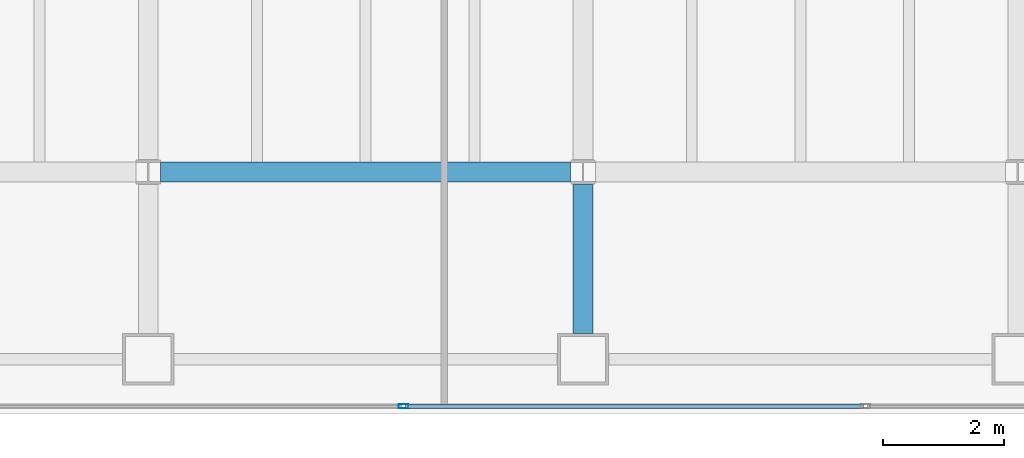
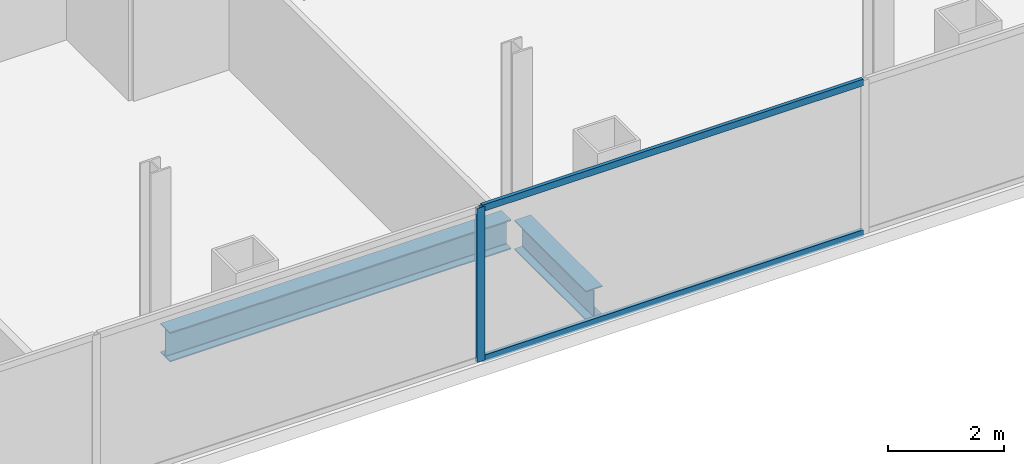
# One storey, part 6 of 23: 3 members, 2 beams, 1 element without a shape of its own.
"""IFC4 building model written with IfcOpenShell, lengths in metres."""

from ifc_helpers import new_model, si_unit, direction, frame, origin, origin_2d, place, context, subcontext, project, spatial, hollow_rectangle, i_section, extrude, material, material_profile, profile_set, type_object, element, aggregate, save


model = new_model("IFC4")

# Units and contexts
model_context = context("Model", 3, precision=1e-05, world=origin(), true_north=direction((0.0, 1.0)))
body_context = subcontext(model_context, "Body", "Model", "MODEL_VIEW")
ifc_project = project(units=[si_unit("LENGTHUNIT", "METRE"), si_unit("AREAUNIT", "SQUARE_METRE"), si_unit("VOLUMEUNIT", "CUBIC_METRE"), si_unit("PLANEANGLEUNIT", "RADIAN"), si_unit("MASSUNIT", "GRAM", prefix="KILO")], contexts=[model_context])

# Site, building, storey
site_placement = place(None, origin())
site = spatial("IfcSite", under=ifc_project, at=site_placement, CompositionType="ELEMENT")
building_placement = place(site_placement, origin())
building = spatial("IfcBuilding", under=site, at=building_placement, Name="Cobrela Telecom Tower", CompositionType="ELEMENT")
storey_placement = place(building_placement, frame((0.0, 0.0, 183.75)))
storey = spatial("IfcBuildingStorey", under=building, at=storey_placement, Name="L46", CompositionType="ELEMENT", Elevation=183.75)

# Beams
ifc_material_1 = material(Name="Steel ASTM A992 Grade 50", Category="steel")
ifc_material_profile_1 = material_profile(ifc_material_1, i_section(OverallWidth=0.327880859375, OverallDepth=0.6220703125, WebThickness=0.015380859375, FlangeThickness=0.0244140625, FilletRadius=0.014892578125, at=origin_2d()), Name="W24X131")
ifc_profile_set_1 = profile_set([ifc_material_profile_1], Name="Steel ASTM A992 Grade 50")
beam_type = type_object("IfcBeamType", Name="BM-GIRD-06", PredefinedType="USERDEFINED", material=ifc_profile_set_1)
beam_1_placement = place(storey_placement, frame((21.804443359375, 7.199951171875, -0.571044921875), z_axis=(1.0, 0.0, 0.0), x_axis=(0.0, 1.0, 0.0)))
element("IfcBeam", 1, at=beam_1_placement, inside=storey, type_object=beam_type, Name="L46 Primary Girder X08", ObjectType="GIRDER", PredefinedType="USERDEFINED", context=body_context, shape_type="SweptSolid", body=[
    extrude(i_section(OverallWidth=0.327880859375, OverallDepth=0.6220703125, WebThickness=0.015380859375, FlangeThickness=0.0244140625, FilletRadius=0.014892578125, at=origin_2d()), origin(), (0.0, 0.0, 1.0), 6.791015625),
])
beam_2_placement = place(storey_placement, frame((28.800048828125, 4.530029296875, -0.571044921875), z_axis=(0.0, 1.0, 0.0), x_axis=(-1.0, 0.0, 0.0)))
element("IfcBeam", 2, at=beam_2_placement, inside=storey, type_object=beam_type, Name="L46 Primary Girder Y36", ObjectType="GIRDER", PredefinedType="USERDEFINED", context=body_context, shape_type="SweptSolid", body=[
    extrude(i_section(OverallWidth=0.327880859375, OverallDepth=0.6220703125, WebThickness=0.015380859375, FlangeThickness=0.0244140625, FilletRadius=0.014892578125, at=origin_2d()), origin(), (0.0, 0.0, 1.0), 2.465576171875),
])

# Curtain wall, members
ifc_material_2 = material(Name="Anodized Bronze Aluminium 6063-T6", Category="aluminium")
curtain_wall_type = type_object("IfcCurtainWallType", Name="CW-SYS-OFF-LO", PredefinedType="USERDEFINED", material=ifc_material_2)
curtain_wall_placement = place(storey_placement, origin())
curtain_wall = element("IfcCurtainWall", 3, at=curtain_wall_placement, inside=storey, type_object=curtain_wall_type, Name="L46 Unitised Bronze Curtain Wall 17", ObjectType="UNITISED CURTAIN WALL", PredefinedType="USERDEFINED")
ifc_material_profile_2 = material_profile(ifc_material_2, hollow_rectangle(XDim=0.070068359375, YDim=0.159912109375, WallThickness=0.00390625, at=origin_2d()), Name="ALU 70x160x4")
ifc_profile_set_2 = profile_set([ifc_material_profile_2], Name="Anodized Bronze Aluminium 6063-T6")
member_type_1 = type_object("IfcMemberType", Name="CW-SYS-OFF-LO-MUL", PredefinedType="MULLION", material=ifc_profile_set_2)
member_1_placement = place(storey_placement, frame((25.825927734375, 3.320068359375, 0.0), z_axis=(0.0, 0.0, 1.0), x_axis=(0.0, -1.0, 0.0)))
member_1 = element("IfcMember", 4, at=member_1_placement, type_object=member_type_1, Name="CW-OFF-LO mullion 3", PredefinedType="MULLION", context=body_context, shape_type="SweptSolid", body=[
    extrude(hollow_rectangle(XDim=0.070068359375, YDim=0.159912109375, WallThickness=0.00390625, at=origin_2d()), origin(), (0.0, 0.0, 1.0), 3.239990234375),
])
ifc_material_profile_3 = material_profile(ifc_material_2, hollow_rectangle(XDim=0.070068359375, YDim=0.139892578125, WallThickness=0.00390625, at=origin_2d()), Name="ALU 70x140x4")
ifc_profile_set_3 = profile_set([ifc_material_profile_3], Name="Anodized Bronze Aluminium 6063-T6")
member_type_2 = type_object("IfcMemberType", Name="CW-SYS-OFF-LO-TRN", PredefinedType="USERDEFINED", material=ifc_profile_set_3)
member_2_placement = place(storey_placement, frame((33.443115234375, 3.320068359375, 0.034912109375), z_axis=(-1.0, 0.0, 0.0), x_axis=(0.0, -1.0, 0.0)))
member_2 = element("IfcMember", 5, at=member_2_placement, type_object=member_type_2, Name="CW-OFF-LO transom 2.1", ObjectType="TRANSOM", PredefinedType="USERDEFINED", context=body_context, shape_type="SweptSolid", body=[
    extrude(hollow_rectangle(XDim=0.070068359375, YDim=0.139892578125, WallThickness=0.00390625, at=origin_2d()), origin(), (0.0, 0.0, 1.0), 7.58203125),
])
member_3_placement = place(storey_placement, frame((33.443115234375, 3.320068359375, 3.205078125), z_axis=(-1.0, 0.0, 0.0), x_axis=(0.0, -1.0, 0.0)))
member_3 = element("IfcMember", 6, at=member_3_placement, type_object=member_type_2, Name="CW-OFF-LO transom 2.2", ObjectType="TRANSOM", PredefinedType="USERDEFINED", context=body_context, shape_type="SweptSolid", body=[
    extrude(hollow_rectangle(XDim=0.070068359375, YDim=0.139892578125, WallThickness=0.00390625, at=origin_2d()), origin(), (0.0, 0.0, 1.0), 7.58203125),
])
aggregate(curtain_wall, [member_1, member_2, member_3])

save(model, "model.ifc")
